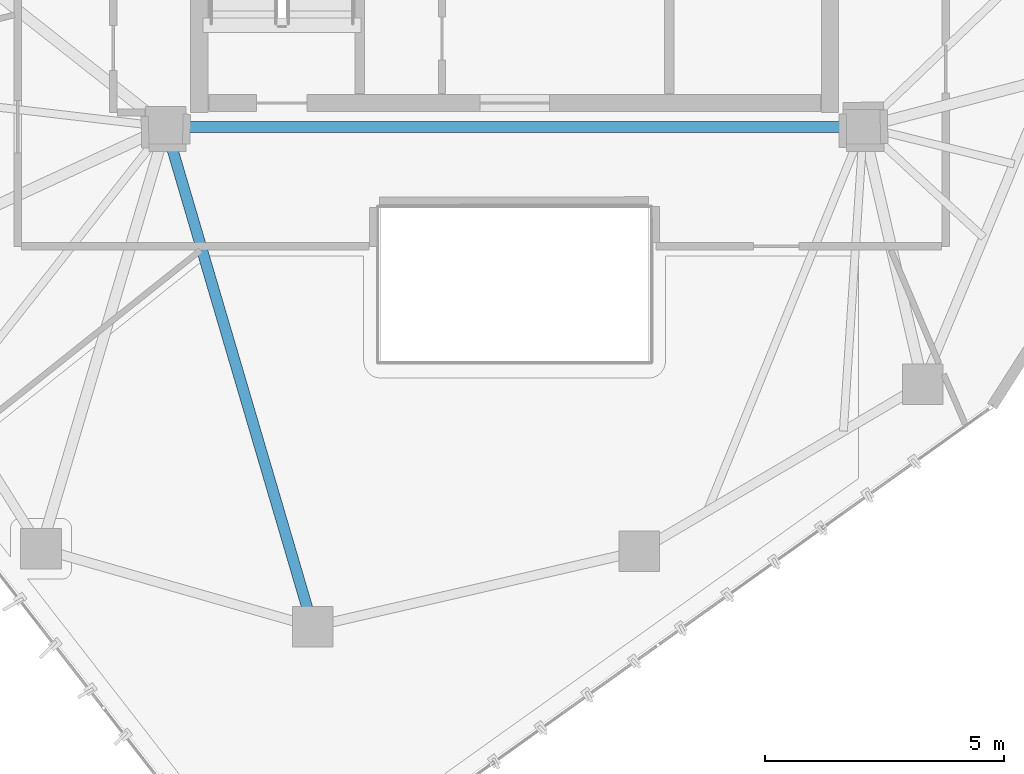
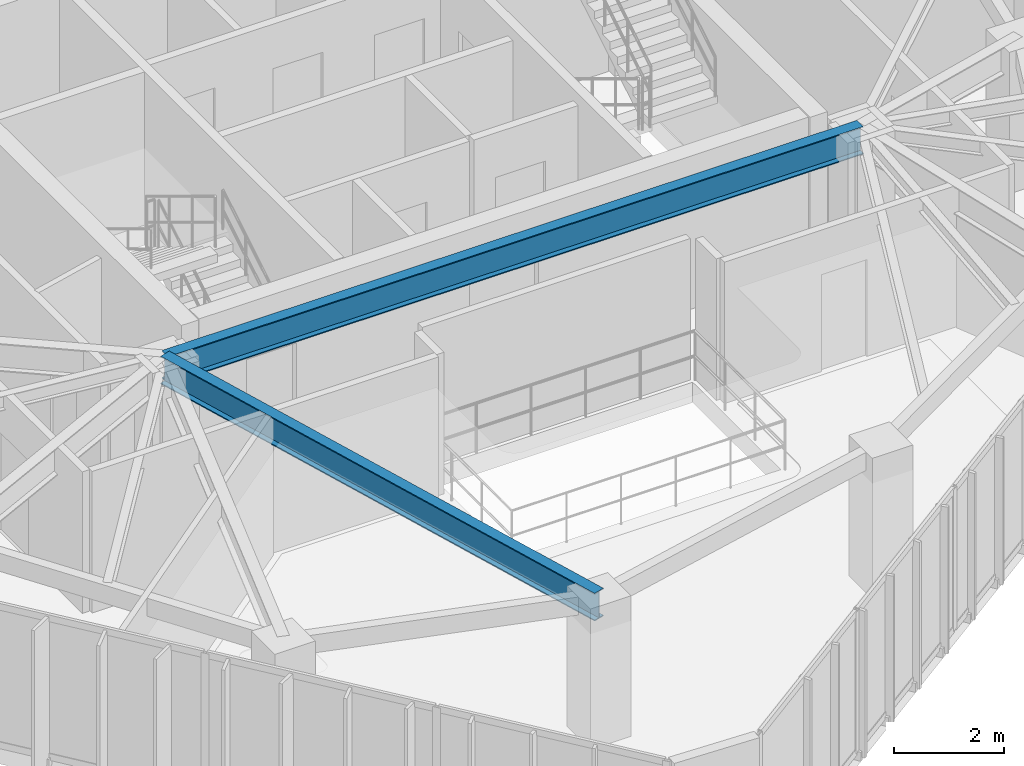
# One storey, part 5 of 19: 2 beams.
"""IFC4 building model written with IfcOpenShell, lengths in metres."""

from ifc_helpers import new_model, si_unit, direction, frame, origin, origin_2d, place, context, subcontext, project, spatial, i_section, extrude, material, material_profile, profile_set, type_object, element, save


model = new_model("IFC4")

# Units and contexts
model_context = context("Model", 3, precision=1e-05, world=origin(), true_north=direction((0.0, 1.0)))
body_context = subcontext(model_context, "Body", "Model", "MODEL_VIEW")
ifc_project = project(units=[si_unit("LENGTHUNIT", "METRE"), si_unit("AREAUNIT", "SQUARE_METRE"), si_unit("VOLUMEUNIT", "CUBIC_METRE"), si_unit("PLANEANGLEUNIT", "RADIAN"), si_unit("MASSUNIT", "GRAM", prefix="KILO")], contexts=[model_context])

# Site, building, storey
site_placement = place(None, origin())
site = spatial("IfcSite", under=ifc_project, at=site_placement, CompositionType="ELEMENT")
building_placement = place(site_placement, origin())
building = spatial("IfcBuilding", under=site, at=building_placement, Name="Talar Marvaseh", CompositionType="ELEMENT")
storey_placement = place(building_placement, frame((0.0, 0.0, 240.800048828125)))
storey = spatial("IfcBuildingStorey", under=building, at=storey_placement, Name="L63", CompositionType="ELEMENT", Elevation=240.800048828125)

# Beams
ifc_material = material(Name="Steel S355", Category="steel")
ifc_material_profile = material_profile(ifc_material, i_section(OverallWidth=0.22998046875, OverallDepth=0.616943359375, WebThickness=0.01318359375, FlangeThickness=0.022216796875, at=origin_2d()), Name="W610x140")
ifc_profile_set = profile_set([ifc_material_profile], Name="Steel S355")
beam_type = type_object("IfcBeamType", Name="Zone 4 Radial Floor Girder W610x140", PredefinedType="BEAM", material=ifc_profile_set)
beam_1_placement = place(storey_placement, frame((18.699951171875, 25.5, 2.83154296875), z_axis=(1.0, 0.0, 0.0), x_axis=(0.0, 1.0, 0.0)))
element("IfcBeam", 1, at=beam_1_placement, inside=storey, type_object=beam_type, Name="L63 Zone 4 Radial Floor Girder W610x140", PredefinedType="BEAM", context=body_context, shape_type="SweptSolid", body=[
    extrude(i_section(OverallWidth=0.22998046875, OverallDepth=0.616943359375, WebThickness=0.01318359375, FlangeThickness=0.022216796875, at=origin_2d()), origin(), (0.0, 0.0, 1.0), 14.60009765625),
])
beam_2_placement = place(storey_placement, frame((21.77587890625, 15.0400390625, 2.83154296875), z_axis=(-0.28212146763, 0.959378693479, 0.0), x_axis=(-0.959378693479, -0.28212146763, 0.0)))
element("IfcBeam", 2, at=beam_2_placement, inside=storey, type_object=beam_type, Name="L63 Zone 4 Radial Floor Girder W610x140", PredefinedType="BEAM", context=body_context, shape_type="SweptSolid", body=[
    extrude(i_section(OverallWidth=0.22998046875, OverallDepth=0.616943359375, WebThickness=0.01318359375, FlangeThickness=0.022216796875, at=origin_2d()), origin(), (0.0, 0.0, 1.0), 10.90283203125),
])

save(model, "model.ifc")
